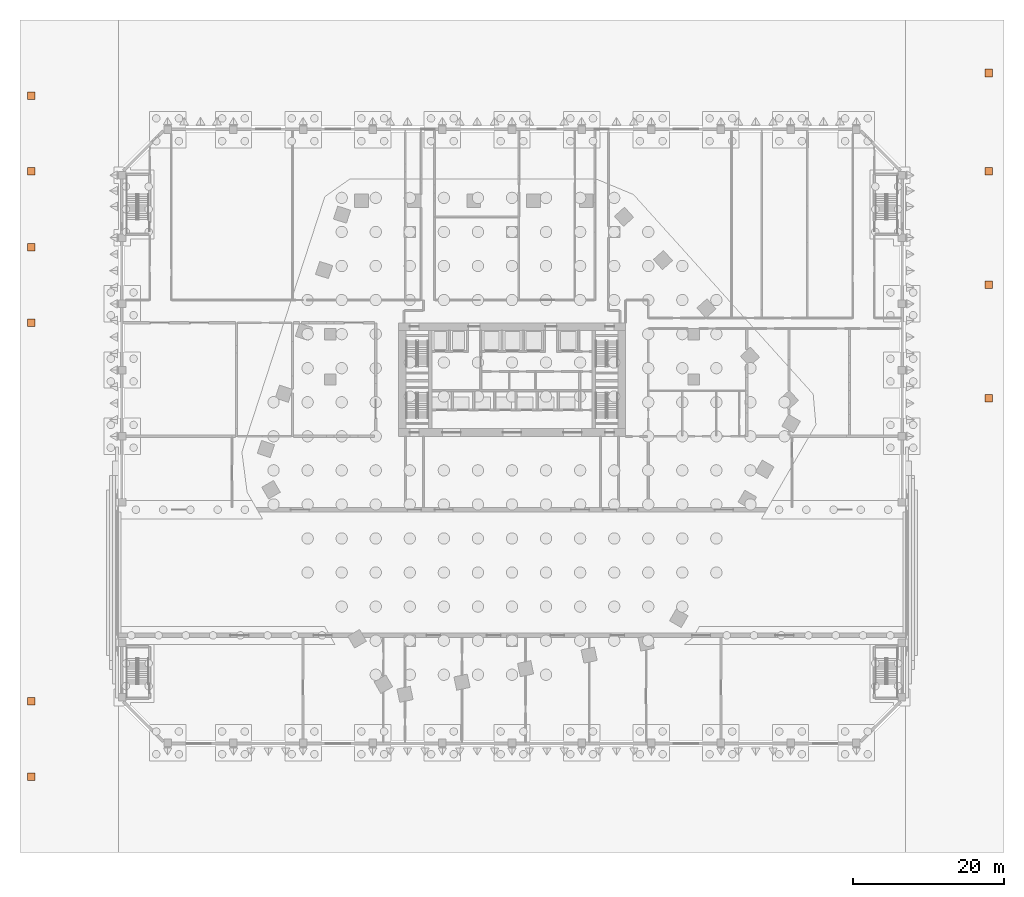
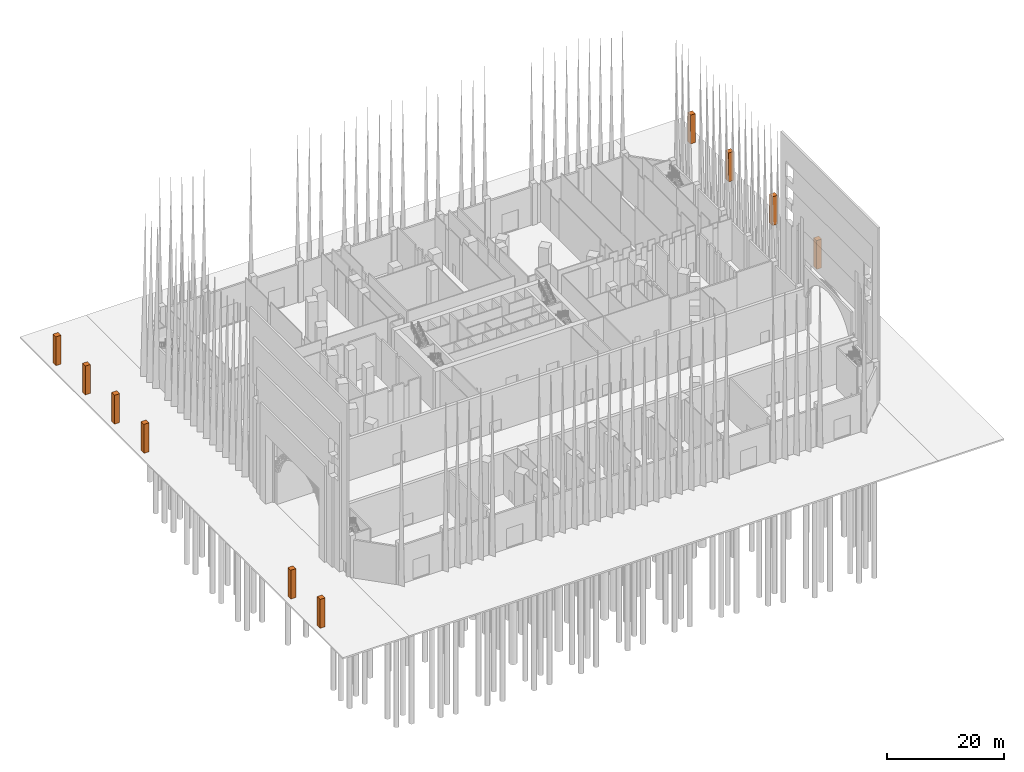
# One storey, part 32 of 32: 10 geographic elements.
"""IFC4 building model written with IfcOpenShell, lengths in metres."""

from ifc_helpers import new_model, si_unit, direction, frame, origin, origin_2d, place, context, subcontext, project, spatial, rectangle, extrude, material, type_object, element, save


model = new_model("IFC4")

# Units and contexts
model_context = context("Model", 3, precision=1e-05, world=origin(), true_north=direction((0.0, 1.0)))
body_context = subcontext(model_context, "Body", "Model", "MODEL_VIEW")
ifc_project = project(units=[si_unit("LENGTHUNIT", "METRE"), si_unit("AREAUNIT", "SQUARE_METRE"), si_unit("VOLUMEUNIT", "CUBIC_METRE"), si_unit("PLANEANGLEUNIT", "RADIAN"), si_unit("MASSUNIT", "GRAM", prefix="KILO")], contexts=[model_context])

# Site, building, storey
site_placement = place(None, origin())
site = spatial("IfcSite", under=ifc_project, at=site_placement, CompositionType="ELEMENT")
building_placement = place(site_placement, origin())
building = spatial("IfcBuilding", under=site, at=building_placement, Name="Isthmus Gate Tower", CompositionType="ELEMENT")
storey_placement = place(building_placement, origin())
storey = spatial("IfcBuildingStorey", under=building, at=storey_placement, Name="L00", CompositionType="ELEMENT", Elevation=0.0)

# Geographic elements
ifc_material = material(Name="Planted tree")
geographic_element_type = type_object("IfcGeographicElementType", Name="Street tree", PredefinedType="USERDEFINED", material=ifc_material)
for number, where, z_axis, x_axis, name in (
    (1, (-63.5, -45.0, 0.0), (0.0, 0.0, 1.0), (1.0, 0.0, 0.0), "Street tree"),
    (2, (-63.5, -35.0, 0.0), (0.0, 0.0, 1.0), (1.0, 0.0, 0.0), "Street tree"),
    (3, (-63.5, 15.0, 0.0), (0.0, 0.0, 1.0), (1.0, 0.0, 0.0), "Street tree"),
    (4, (-63.5, 25.0, 0.0), (0.0, 0.0, 1.0), (1.0, 0.0, 0.0), "Street tree"),
    (5, (-63.5, 35.0, 0.0), (0.0, 0.0, 1.0), (1.0, 0.0, 0.0), "Street tree"),
    (6, (-63.5, 45.0, 0.0), (0.0, 0.0, 1.0), (1.0, 0.0, 0.0), "Street tree"),
    (7, (63.0, 5.0, 0.0), (0.0, 0.0, 1.0), (1.0, 0.0, 0.0), "Street tree"),
    (8, (63.0, 20.0, 0.0), (0.0, 0.0, 1.0), (1.0, 0.0, 0.0), "Street tree"),
    (9, (63.0, 35.0, 0.0), (0.0, 0.0, 1.0), (1.0, 0.0, 0.0), "Street tree"),
    (10, (63.0, 48.0, 0.0), (0.0, 0.0, 1.0), (1.0, 0.0, 0.0), "Street tree"),
):
    element("IfcGeographicElement", number, at=place(storey_placement, frame(where, z_axis=z_axis, x_axis=x_axis)), inside=storey, type_object=geographic_element_type, Name=name, ObjectType="TREE", PredefinedType="USERDEFINED", context=body_context, shape_type="SweptSolid", body=[
        extrude(rectangle(XDim=1.0, YDim=1.0, at=origin_2d()), origin(), (0.0, 0.0, 1.0), 6.0),
    ])

save(model, "model.ifc")
